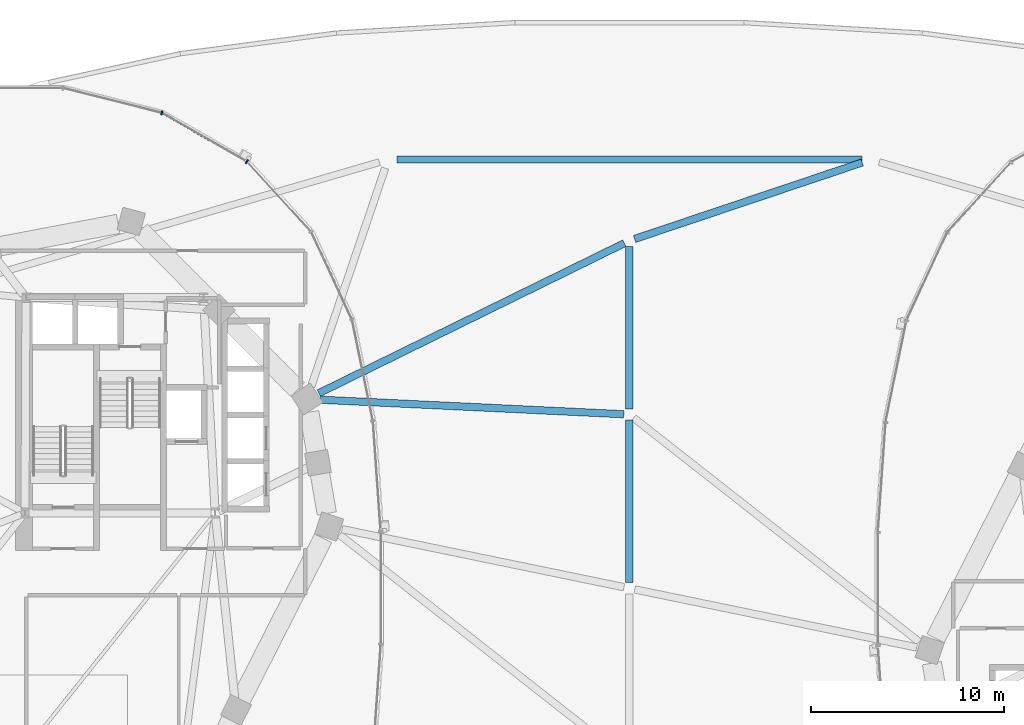
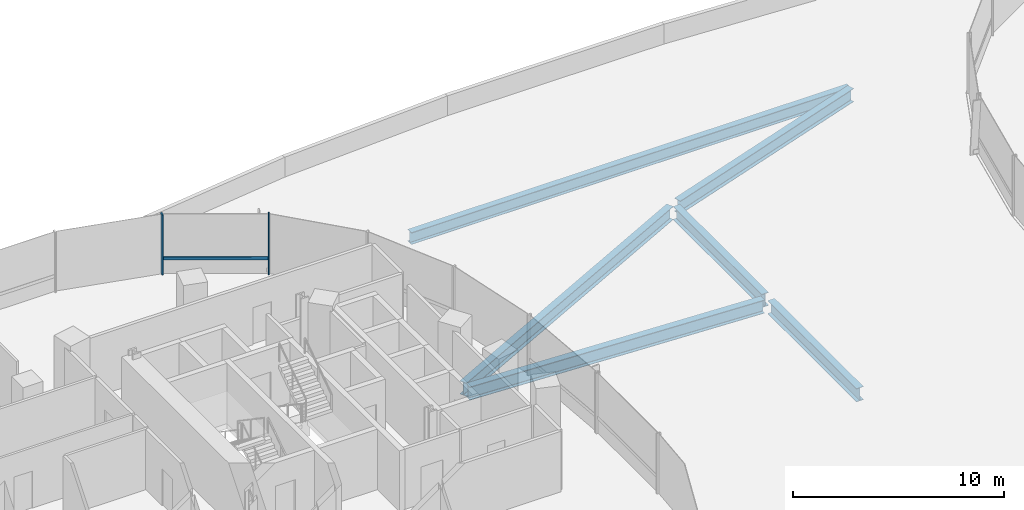
# One storey, part 8 of 28: 6 beams, 3 members, 1 element without a shape of its own.
"""IFC4 building model written with IfcOpenShell, lengths in metres."""

from ifc_helpers import new_model, si_unit, direction, frame, origin, origin_2d, place, context, subcontext, project, spatial, rectangle, i_section, extrude, material, material_profile, profile_set, type_object, element, aggregate, save


model = new_model("IFC4")

# Units and contexts
model_context = context("Model", 3, precision=1e-05, world=origin(), true_north=direction((0.0, 1.0)))
body_context = subcontext(model_context, "Body", "Model", "MODEL_VIEW")
ifc_project = project(units=[si_unit("LENGTHUNIT", "METRE"), si_unit("AREAUNIT", "SQUARE_METRE"), si_unit("VOLUMEUNIT", "CUBIC_METRE"), si_unit("PLANEANGLEUNIT", "RADIAN"), si_unit("MASSUNIT", "GRAM", prefix="KILO"), si_unit("THERMODYNAMICTEMPERATUREUNIT", "KELVIN"), si_unit("POWERUNIT", "WATT")], contexts=[model_context])

# Site, building, storey
site_placement = place(None, origin())
site = spatial("IfcSite", under=ifc_project, at=site_placement, CompositionType="ELEMENT")
building_placement = place(site_placement, origin())
building = spatial("IfcBuilding", under=site, at=building_placement, Name="Cundina Bronze Exchange", CompositionType="ELEMENT")
storey_placement = place(building_placement, frame((0.0, 0.0, 24.0)))
storey = spatial("IfcBuildingStorey", under=building, at=storey_placement, Name="L05", CompositionType="ELEMENT", Elevation=24.0)

# Beams
ifc_material_1 = material(Name="Steel ASTM A992 Grade 50", Category="steel")
ifc_material_profile_1 = material_profile(ifc_material_1, i_section(OverallWidth=0.35498046875, OverallDepth=0.695068359375, WebThickness=0.015380859375, FlangeThickness=0.02490234375, FilletRadius=0.01806640625, at=origin_2d()), Name="W27X146", Category="steel")
ifc_profile_set_1 = profile_set([ifc_material_profile_1], Name="Steel ASTM A992 Grade 50")
beam_type_1 = type_object("IfcBeamType", Name="BM-RING-W27", PredefinedType="USERDEFINED", material=ifc_profile_set_1)
beam_1_placement = place(storey_placement, frame((-12.037109375, 22.199951171875, -0.652587890625), z_axis=(1.0, 0.0, 0.0), x_axis=(0.0, 1.0, 0.0)))
element("IfcBeam", 1, at=beam_1_placement, inside=storey, type_object=beam_type_1, Name="L05 Podium Roof Edge Girder 02", ObjectType="GIRDER", PredefinedType="USERDEFINED", context=body_context, shape_type="SweptSolid", body=[
    extrude(i_section(OverallWidth=0.35498046875, OverallDepth=0.695068359375, WebThickness=0.015380859375, FlangeThickness=0.02490234375, FilletRadius=0.01806640625, at=origin_2d()), origin(), (0.0, 0.0, 1.0), 24.07421875),
])
ifc_material_profile_2 = material_profile(ifc_material_1, i_section(OverallWidth=0.381103515625, OverallDepth=0.77294921875, WebThickness=0.0166015625, FlangeThickness=0.027099609375, FilletRadius=0.01904296875, at=origin_2d()), Name="W30X173", Category="steel")
ifc_profile_set_2 = profile_set([ifc_material_profile_2], Name="Steel ASTM A992 Grade 50")
beam_type_2 = type_object("IfcBeamType", Name="BM-RING-W30", PredefinedType="USERDEFINED", material=ifc_profile_set_2)
for number, where, z_axis, x_axis, name in (
    (2, (0.0, 0.2880859375, -0.69140625), (0.0, 1.0, 0.0), (-1.0, 0.0, 0.0), "L05 Concourse Spine Longitudinal Girder 03"),
    (3, (0.0, 9.2880859375, -0.69140625), (0.0, 1.0, 0.0), (-1.0, 0.0, 0.0), "L05 Concourse Spine Longitudinal Girder 04"),
):
    element("IfcBeam", number, at=place(storey_placement, frame(where, z_axis=z_axis, x_axis=x_axis)), inside=storey, type_object=beam_type_2, Name=name, ObjectType="GIRDER", PredefinedType="USERDEFINED", context=body_context, shape_type="SweptSolid", body=[
        extrude(i_section(OverallWidth=0.381103515625, OverallDepth=0.77294921875, WebThickness=0.0166015625, FlangeThickness=0.027099609375, FilletRadius=0.01904296875, at=origin_2d()), origin(), (0.0, 0.0, 1.0), 8.423828125),
    ])
beam_2_placement = place(storey_placement, frame((12.06103515625, 22.052490234375, -0.69140625), z_axis=(-0.947924745571, -0.318494390428, 0.0), x_axis=(0.318494390428, -0.947924745571, 0.0)))
element("IfcBeam", 4, at=beam_2_placement, inside=storey, type_object=beam_type_2, Name="L05 Podium Colonnade Tie Beam 04", ObjectType="GIRDER", PredefinedType="USERDEFINED", context=body_context, shape_type="SweptSolid", body=[
    extrude(i_section(OverallWidth=0.381103515625, OverallDepth=0.77294921875, WebThickness=0.0166015625, FlangeThickness=0.027099609375, FilletRadius=0.01904296875, at=origin_2d()), origin(), (0.0, 0.0, 1.0), 12.435791015625),
])
beam_3_placement = place(storey_placement, frame((-16.0126953125, 9.76708984375, -0.69140625), z_axis=(0.998854942473, -0.047841445389, 0.0), x_axis=(0.047841445389, 0.998854942473, 0.0)))
element("IfcBeam", 5, at=beam_3_placement, inside=storey, type_object=beam_type_2, Name="L05 Concourse West Span Girder 04", ObjectType="GIRDER", PredefinedType="USERDEFINED", context=body_context, shape_type="SweptSolid", body=[
    extrude(i_section(OverallWidth=0.381103515625, OverallDepth=0.77294921875, WebThickness=0.0166015625, FlangeThickness=0.027099609375, FilletRadius=0.01904296875, at=origin_2d()), origin(), (0.0, 0.0, 1.0), 15.7431640625),
])
beam_4_placement = place(storey_placement, frame((-16.08251953125, 10.103271484375, -0.69140625), z_axis=(0.897630752677, 0.44074826358, 0.0), x_axis=(-0.44074826358, 0.897630752677, 0.0)))
element("IfcBeam", 6, at=beam_4_placement, inside=storey, type_object=beam_type_2, Name="L05 Concourse West Span Girder 05", ObjectType="GIRDER", PredefinedType="USERDEFINED", context=body_context, shape_type="SweptSolid", body=[
    extrude(i_section(OverallWidth=0.381103515625, OverallDepth=0.77294921875, WebThickness=0.0166015625, FlangeThickness=0.027099609375, FilletRadius=0.01904296875, at=origin_2d()), origin(), (0.0, 0.0, 1.0), 17.628662109375),
])

# Curtain wall, members
ifc_material_2 = material(Name="Anodised Bronze Aluminium 6063-T6", Category="aluminium")
curtain_wall_type = type_object("IfcCurtainWallType", Name="CWS-TRD-LOW", PredefinedType="NOTDEFINED", material=ifc_material_2)
curtain_wall_placement = place(storey_placement, origin())
curtain_wall = element("IfcCurtainWall", 7, at=curtain_wall_placement, inside=storey, type_object=curtain_wall_type, Name="L05 CW-02 Curtain Wall Run CWR-L05-W1", PredefinedType="NOTDEFINED")
ifc_material_profile_3 = material_profile(ifc_material_2, rectangle(XDim=0.074951171875, YDim=0.219970703125, at=origin_2d()), Name="AL75X220", Category="aluminium")
ifc_profile_set_3 = profile_set([ifc_material_profile_3], Name="Anodised Bronze Aluminium 6063-T6")
member_type_1 = type_object("IfcMemberType", Name="CWM-MUL-220", PredefinedType="MULLION", material=ifc_profile_set_3)
member_1_placement = place(storey_placement, frame((-19.810302734375, 22.097412109375, 0.0), z_axis=(0.0, 0.0, 1.0), x_axis=(-0.867070701164, 0.498185105339, 0.0)))
member_1 = element("IfcMember", 8, at=member_1_placement, type_object=member_type_1, Name="CW-02 Mullion 5", PredefinedType="MULLION", context=body_context, shape_type="SweptSolid", body=[
    extrude(rectangle(XDim=0.074951171875, YDim=0.219970703125, at=origin_2d()), origin(), (0.0, 0.0, 1.0), 3.5),
])
member_2_placement = place(storey_placement, frame((-24.21484375, 24.61669921875, 0.0), z_axis=(0.0, 0.0, 1.0), x_axis=(-0.969488149345, 0.245138182011, 0.0)))
member_2 = element("IfcMember", 9, at=member_2_placement, type_object=member_type_1, Name="CW-02 Mullion 6", PredefinedType="MULLION", context=body_context, shape_type="SweptSolid", body=[
    extrude(rectangle(XDim=0.074951171875, YDim=0.219970703125, at=origin_2d()), origin(), (0.0, 0.0, 1.0), 3.5),
])
ifc_material_profile_4 = material_profile(ifc_material_2, rectangle(XDim=0.070068359375, YDim=0.179931640625, at=origin_2d()), Name="AL70X180", Category="aluminium")
ifc_profile_set_4 = profile_set([ifc_material_profile_4], Name="Anodised Bronze Aluminium 6063-T6")
member_type_2 = type_object("IfcMemberType", Name="CWM-TRN-180", PredefinedType="USERDEFINED", material=ifc_profile_set_4)
member_3_placement = place(storey_placement, frame((-19.845947265625, 22.117919921875, 0.919921875), z_axis=(-0.867097475651, 0.498138502546, 0.0), x_axis=(-0.498138502546, -0.867097475651, 0.0)))
member_3 = element("IfcMember", 10, at=member_3_placement, type_object=member_type_2, Name="CW-02 Spandrel Transom 5", ObjectType="TRANSOM", PredefinedType="USERDEFINED", context=body_context, shape_type="SweptSolid", body=[
    extrude(rectangle(XDim=0.070068359375, YDim=0.179931640625, at=origin_2d()), origin(), (0.0, 0.0, 1.0), 5.00634765625),
])
aggregate(curtain_wall, [member_1, member_3, member_2])

save(model, "model.ifc")
